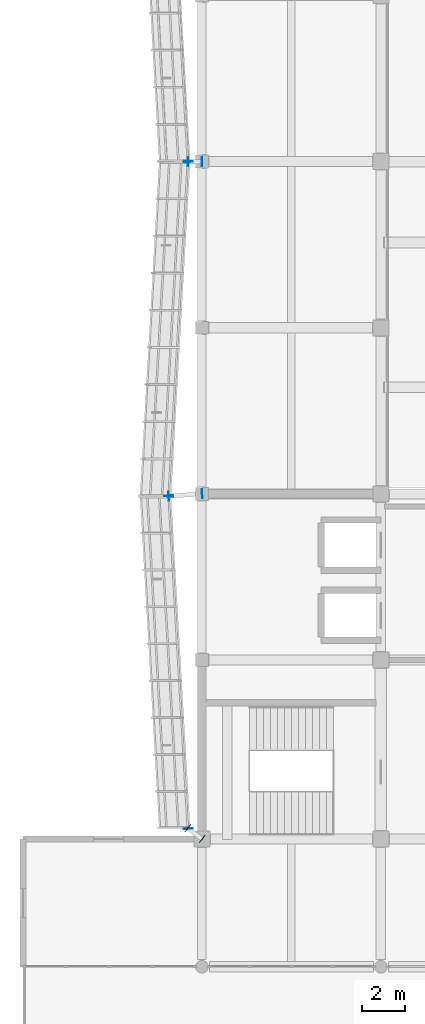
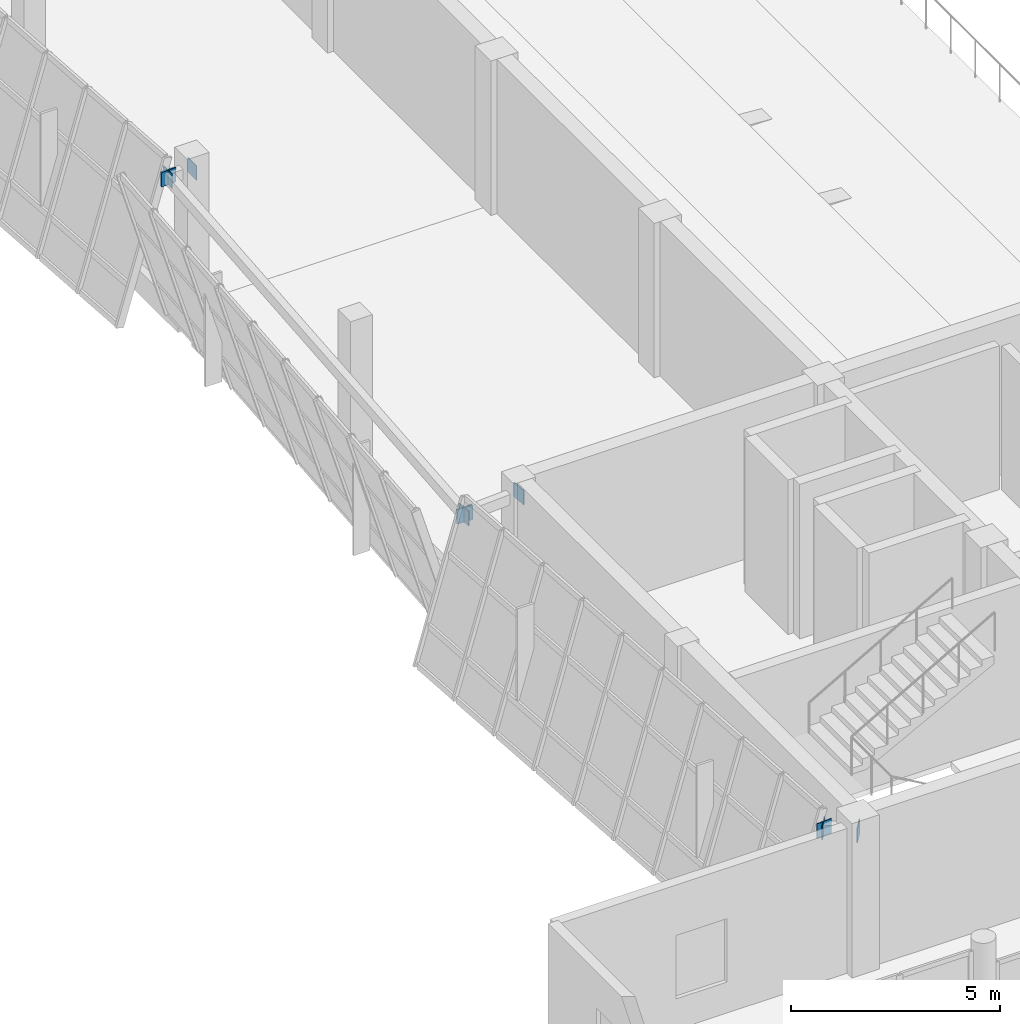
# One storey, part 47 of 71: 11 plates.
"""IFC4 building model written with IfcOpenShell, lengths in metres."""

from ifc_helpers import new_model, si_unit, direction, frame, origin, origin_2d, place, context, subcontext, project, spatial, rectangle, extrude, material, layer, layer_set, type_object, element, save


model = new_model("IFC4")

# Units and contexts
model_context = context("Model", 3, precision=1e-05, world=origin(), true_north=direction((0.0, 1.0)))
body_context = subcontext(model_context, "Body", "Model", "MODEL_VIEW")
ifc_project = project(units=[si_unit("LENGTHUNIT", "METRE"), si_unit("AREAUNIT", "SQUARE_METRE"), si_unit("VOLUMEUNIT", "CUBIC_METRE"), si_unit("PLANEANGLEUNIT", "RADIAN"), si_unit("MASSUNIT", "GRAM", prefix="KILO")], contexts=[model_context])

# Site, building, storey
site_placement = place(None, origin())
site = spatial("IfcSite", under=ifc_project, at=site_placement, CompositionType="ELEMENT")
building_placement = place(site_placement, origin())
building = spatial("IfcBuilding", under=site, at=building_placement, Name="Pellamere Symphony Hall", CompositionType="ELEMENT")
storey_placement = place(building_placement, frame((0.0, 0.0, 15.0)))
storey = spatial("IfcBuildingStorey", under=building, at=storey_placement, Name="L03", CompositionType="ELEMENT", Elevation=15.0)

# Plates
ifc_material = material(Name="Steel CSA G40.21 350W", Category="steel")
ifc_layer = layer(ifc_material, 0.02490234375, Name="Steel CSA G40.21 350W")
ifc_layer_set = layer_set([ifc_layer], Name="Steel CSA G40.21 350W")
plate_type = type_object("IfcPlateType", Name="Steel Connection Plate KP-01 420x420x25", PredefinedType="SHEET", material=ifc_layer_set)
for number, where, z_axis, x_axis, name in (
    (1, (49.750732421875, 61.7880859375, 3.72998046875), (0.0, 0.0, 1.0), (0.057215536424, -0.998361849427, 0.0), "Crystal Spandrel End Cap Plate CW-CR16-2 (L03)"),
    (2, (50.412109375, 61.800048828125, 3.72998046875), (0.0, 0.0, 1.0), (-1.0, 0.0, 0.0), "Outrigger End Cap Plate 103.1 (L03)"),
    (3, (49.738037109375, 61.800048828125, 3.72998046875), (0.0, 0.0, 1.0), (-1.0, 0.0, 0.0), "Outrigger End Cap Plate 103.2 (L03)"),
    (4, (49.750732421875, 61.81201171875, 3.72998046875), (0.0, 0.0, 1.0), (-0.057215536424, -0.998361849427, 0.0), "Crystal Spandrel End Cap Plate CW-CR17-1 (L03)"),
    (5, (48.849365234375, 46.087890625, 3.72998046875), (0.0, 0.0, 1.0), (-0.057215536424, -0.998361849427, 0.0), "Crystal Spandrel End Cap Plate CW-CR17-2 (L03)"),
    (6, (50.412109375, 46.20068359375, 3.72998046875), (0.0, 0.0, 1.0), (-0.997926866086, -0.064358138139, 0.0), "Outrigger End Cap Plate 113.1 (L03)"),
    (7, (48.837890625, 46.09912109375, 3.72998046875), (0.0, 0.0, 1.0), (-0.997926866086, -0.064358138139, 0.0), "Outrigger End Cap Plate 113.2 (L03)"),
    (8, (48.849365234375, 46.112060546875, 3.72998046875), (0.0, 0.0, 1.0), (0.05756402696, -0.998341816614, 0.0), "Crystal Spandrel End Cap Plate CW-CR18-1 (L03)"),
    (9, (49.750732421875, 30.488037109375, 3.72998046875), (0.0, 0.0, 1.0), (0.05756402696, -0.998341816614, 0.0), "Crystal Spandrel End Cap Plate CW-CR18-2 (L03)"),
    (10, (50.409423828125, 29.99267578125, 3.72998046875), (0.0, 0.0, 1.0), (-0.792609005996, 0.609730238396, 0.0), "Outrigger End Cap Plate 123.1 (L03)"),
    (11, (49.740478515625, 30.50732421875, 3.72998046875), (0.0, 0.0, 1.0), (-0.792609005996, 0.609730238396, 0.0), "Outrigger End Cap Plate 123.2 (L03)"),
):
    element("IfcPlate", number, at=place(storey_placement, frame(where, z_axis=z_axis, x_axis=x_axis)), inside=storey, type_object=plate_type, Name=name, PredefinedType="SHEET", context=body_context, shape_type="SweptSolid", body=[
        extrude(rectangle(XDim=0.02490234375, YDim=0.419921875, at=origin_2d()), origin(), (0.0, 0.0, 1.0), 0.419921875),
    ])

save(model, "model.ifc")
